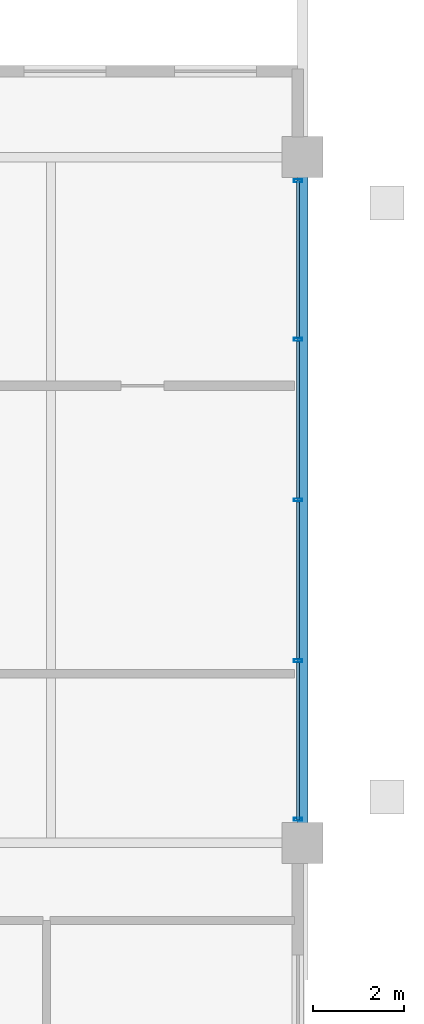
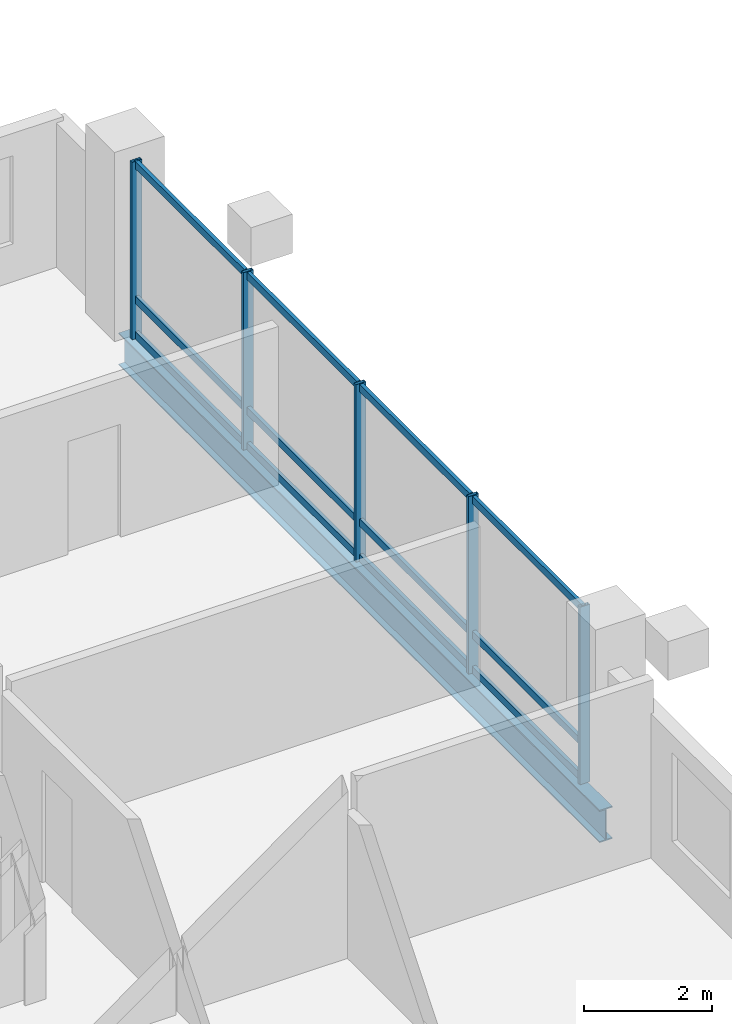
# One storey, part 10 of 16: 17 members, 1 beam, 1 element without a shape of its own.
"""IFC4 building model written with IfcOpenShell, lengths in metres."""

from ifc_helpers import new_model, si_unit, direction, frame, origin, origin_2d, place, context, subcontext, project, spatial, hollow_rectangle, i_section, extrude, material, layer, layer_set, material_profile, profile_set, type_object, element, aggregate, save


model = new_model("IFC4")

# Units and contexts
model_context = context("Model", 3, precision=1e-05, world=origin(), true_north=direction((0.0, 1.0)))
body_context = subcontext(model_context, "Body", "Model", "MODEL_VIEW")
ifc_project = project(units=[si_unit("LENGTHUNIT", "METRE"), si_unit("AREAUNIT", "SQUARE_METRE"), si_unit("VOLUMEUNIT", "CUBIC_METRE"), si_unit("PLANEANGLEUNIT", "RADIAN"), si_unit("MASSUNIT", "GRAM", prefix="KILO")], contexts=[model_context])

# Site, building, storey
site_placement = place(None, origin())
site = spatial("IfcSite", under=ifc_project, at=site_placement, CompositionType="ELEMENT")
building_placement = place(site_placement, origin())
building = spatial("IfcBuilding", under=site, at=building_placement, Name="Barlavira Tower and Art Museum", CompositionType="ELEMENT")
storey_placement = place(building_placement, frame((0.0, 0.0, 265.5)))
storey = spatial("IfcBuildingStorey", under=building, at=storey_placement, Name="L69", CompositionType="ELEMENT", Elevation=265.5)

# Curtain wall, members
ifc_material_1 = material(Name="Low-iron coastal laminated glass", Category="glass")
ifc_layer = layer(ifc_material_1, 0.2099609375, Name="Low-iron coastal laminated glass")
ifc_layer_set = layer_set([ifc_layer], Name="Low-iron coastal laminated glass")
curtain_wall_type = type_object("IfcCurtainWallType", Name="Pale-Metal Unitised Curtain Wall Zone 4", PredefinedType="NOTDEFINED", material=ifc_layer_set)
curtain_wall_placement = place(storey_placement, origin())
curtain_wall = element("IfcCurtainWall", 1, at=curtain_wall_placement, inside=storey, type_object=curtain_wall_type, Name="L69 Curtain Wall CW4-L69-E-B3", PredefinedType="NOTDEFINED")
ifc_material_2 = material(Name="Pale anodised aluminium", Category="aluminium")
ifc_material_profile_1 = material_profile(ifc_material_2, hollow_rectangle(XDim=0.06494140625, YDim=0.179931640625, WallThickness=0.00390625, at=origin_2d()), Name="ALU-MULL 65x180x4")
ifc_profile_set_1 = profile_set([ifc_material_profile_1], Name="Pale anodised aluminium")
member_type_1 = type_object("IfcMemberType", Name="Curtain Wall Pale-Metal Mullion 65x180", PredefinedType="MULLION", material=ifc_profile_set_1)
member_1_placement = place(storey_placement, frame((16.89990234375, -6.985107421875, 0.0), z_axis=(0.0, 0.0, 1.0), x_axis=(0.0, 1.0, 0.0)))
member_1 = element("IfcMember", 2, at=member_1_placement, type_object=member_type_1, Name="CW4-L69-E-B3 Mullion 0", PredefinedType="MULLION", context=body_context, shape_type="SweptSolid", body=[
    extrude(hollow_rectangle(XDim=0.06494140625, YDim=0.179931640625, WallThickness=0.00390625, at=origin_2d()), origin(), (0.0, 0.0, 1.0), 3.3798828125),
])
member_2_placement = place(storey_placement, frame((16.89990234375, -3.514892578125, 0.0), z_axis=(0.0, 0.0, 1.0), x_axis=(0.0, 1.0, 0.0)))
member_2 = element("IfcMember", 3, at=member_2_placement, type_object=member_type_1, Name="CW4-L69-E-B3 Mullion 1", PredefinedType="MULLION", context=body_context, shape_type="SweptSolid", body=[
    extrude(hollow_rectangle(XDim=0.06494140625, YDim=0.179931640625, WallThickness=0.00390625, at=origin_2d()), origin(), (0.0, 0.0, 1.0), 3.3798828125),
])
member_3_placement = place(storey_placement, frame((16.89990234375, 0.0, 0.0), z_axis=(0.0, 0.0, 1.0), x_axis=(0.0, 1.0, 0.0)))
member_3 = element("IfcMember", 4, at=member_3_placement, type_object=member_type_1, Name="CW4-L69-E-B3 Mullion 2", PredefinedType="MULLION", context=body_context, shape_type="SweptSolid", body=[
    extrude(hollow_rectangle(XDim=0.06494140625, YDim=0.179931640625, WallThickness=0.00390625, at=origin_2d()), origin(), (0.0, 0.0, 1.0), 3.3798828125),
])
member_4_placement = place(storey_placement, frame((16.89990234375, 3.514892578125, 0.0), z_axis=(0.0, 0.0, 1.0), x_axis=(0.0, 1.0, 0.0)))
member_4 = element("IfcMember", 5, at=member_4_placement, type_object=member_type_1, Name="CW4-L69-E-B3 Mullion 3", PredefinedType="MULLION", context=body_context, shape_type="SweptSolid", body=[
    extrude(hollow_rectangle(XDim=0.06494140625, YDim=0.179931640625, WallThickness=0.00390625, at=origin_2d()), origin(), (0.0, 0.0, 1.0), 3.3798828125),
])
member_5_placement = place(storey_placement, frame((16.89990234375, 6.985107421875, 0.0), z_axis=(0.0, 0.0, 1.0), x_axis=(0.0, 1.0, 0.0)))
member_5 = element("IfcMember", 6, at=member_5_placement, type_object=member_type_1, Name="CW4-L69-E-B3 Mullion 4", PredefinedType="MULLION", context=body_context, shape_type="SweptSolid", body=[
    extrude(hollow_rectangle(XDim=0.06494140625, YDim=0.179931640625, WallThickness=0.00390625, at=origin_2d()), origin(), (0.0, 0.0, 1.0), 3.3798828125),
])
ifc_material_profile_2 = material_profile(ifc_material_2, hollow_rectangle(XDim=0.06494140625, YDim=0.139892578125, WallThickness=0.00390625, at=origin_2d()), Name="ALU-TRAN 65x140x4")
ifc_profile_set_2 = profile_set([ifc_material_profile_2], Name="Pale anodised aluminium")
member_type_2 = type_object("IfcMemberType", Name="Curtain Wall Pale-Metal Transom 65x140", PredefinedType="USERDEFINED", material=ifc_profile_set_2)
member_6_placement = place(storey_placement, frame((16.89990234375, -6.985107421875, 0.070068359375), z_axis=(0.0, 1.0, 0.0), x_axis=(-1.0, 0.0, 0.0)))
member_6 = element("IfcMember", 7, at=member_6_placement, type_object=member_type_2, Name="CW4-L69-E-B3 Transom 0.1", ObjectType="TRANSOM", PredefinedType="USERDEFINED", context=body_context, shape_type="SweptSolid", body=[
    extrude(hollow_rectangle(XDim=0.06494140625, YDim=0.139892578125, WallThickness=0.00390625, at=origin_2d()), origin(), (0.0, 0.0, 1.0), 3.425048828125),
])
member_7_placement = place(storey_placement, frame((16.89990234375, -6.985107421875, 0.743896484375), z_axis=(0.0, 1.0, 0.0), x_axis=(-1.0, 0.0, 0.0)))
member_7 = element("IfcMember", 8, at=member_7_placement, type_object=member_type_2, Name="CW4-L69-E-B3 Transom 0.2", ObjectType="TRANSOM", PredefinedType="USERDEFINED", context=body_context, shape_type="SweptSolid", body=[
    extrude(hollow_rectangle(XDim=0.06494140625, YDim=0.139892578125, WallThickness=0.00390625, at=origin_2d()), origin(), (0.0, 0.0, 1.0), 3.425048828125),
])
member_8_placement = place(storey_placement, frame((16.89990234375, -6.985107421875, 3.31005859375), z_axis=(0.0, 1.0, 0.0), x_axis=(-1.0, 0.0, 0.0)))
member_8 = element("IfcMember", 9, at=member_8_placement, type_object=member_type_2, Name="CW4-L69-E-B3 Transom 0.3", ObjectType="TRANSOM", PredefinedType="USERDEFINED", context=body_context, shape_type="SweptSolid", body=[
    extrude(hollow_rectangle(XDim=0.06494140625, YDim=0.139892578125, WallThickness=0.00390625, at=origin_2d()), origin(), (0.0, 0.0, 1.0), 3.425048828125),
])
member_9_placement = place(storey_placement, frame((16.89990234375, -3.469970703125, 0.070068359375), z_axis=(0.0, 1.0, 0.0), x_axis=(-1.0, 0.0, 0.0)))
member_9 = element("IfcMember", 10, at=member_9_placement, type_object=member_type_2, Name="CW4-L69-E-B3 Transom 1.1", ObjectType="TRANSOM", PredefinedType="USERDEFINED", context=body_context, shape_type="SweptSolid", body=[
    extrude(hollow_rectangle(XDim=0.06494140625, YDim=0.139892578125, WallThickness=0.00390625, at=origin_2d()), origin(), (0.0, 0.0, 1.0), 3.425048828125),
])
member_10_placement = place(storey_placement, frame((16.89990234375, -3.469970703125, 0.743896484375), z_axis=(0.0, 1.0, 0.0), x_axis=(-1.0, 0.0, 0.0)))
member_10 = element("IfcMember", 11, at=member_10_placement, type_object=member_type_2, Name="CW4-L69-E-B3 Transom 1.2", ObjectType="TRANSOM", PredefinedType="USERDEFINED", context=body_context, shape_type="SweptSolid", body=[
    extrude(hollow_rectangle(XDim=0.06494140625, YDim=0.139892578125, WallThickness=0.00390625, at=origin_2d()), origin(), (0.0, 0.0, 1.0), 3.425048828125),
])
member_11_placement = place(storey_placement, frame((16.89990234375, -3.469970703125, 3.31005859375), z_axis=(0.0, 1.0, 0.0), x_axis=(-1.0, 0.0, 0.0)))
member_11 = element("IfcMember", 12, at=member_11_placement, type_object=member_type_2, Name="CW4-L69-E-B3 Transom 1.3", ObjectType="TRANSOM", PredefinedType="USERDEFINED", context=body_context, shape_type="SweptSolid", body=[
    extrude(hollow_rectangle(XDim=0.06494140625, YDim=0.139892578125, WallThickness=0.00390625, at=origin_2d()), origin(), (0.0, 0.0, 1.0), 3.425048828125),
])
member_12_placement = place(storey_placement, frame((16.89990234375, 0.044921875, 0.070068359375), z_axis=(0.0, 1.0, 0.0), x_axis=(-1.0, 0.0, 0.0)))
member_12 = element("IfcMember", 13, at=member_12_placement, type_object=member_type_2, Name="CW4-L69-E-B3 Transom 2.1", ObjectType="TRANSOM", PredefinedType="USERDEFINED", context=body_context, shape_type="SweptSolid", body=[
    extrude(hollow_rectangle(XDim=0.06494140625, YDim=0.139892578125, WallThickness=0.00390625, at=origin_2d()), origin(), (0.0, 0.0, 1.0), 3.425048828125),
])
member_13_placement = place(storey_placement, frame((16.89990234375, 0.044921875, 0.743896484375), z_axis=(0.0, 1.0, 0.0), x_axis=(-1.0, 0.0, 0.0)))
member_13 = element("IfcMember", 14, at=member_13_placement, type_object=member_type_2, Name="CW4-L69-E-B3 Transom 2.2", ObjectType="TRANSOM", PredefinedType="USERDEFINED", context=body_context, shape_type="SweptSolid", body=[
    extrude(hollow_rectangle(XDim=0.06494140625, YDim=0.139892578125, WallThickness=0.00390625, at=origin_2d()), origin(), (0.0, 0.0, 1.0), 3.425048828125),
])
member_14_placement = place(storey_placement, frame((16.89990234375, 0.044921875, 3.31005859375), z_axis=(0.0, 1.0, 0.0), x_axis=(-1.0, 0.0, 0.0)))
member_14 = element("IfcMember", 15, at=member_14_placement, type_object=member_type_2, Name="CW4-L69-E-B3 Transom 2.3", ObjectType="TRANSOM", PredefinedType="USERDEFINED", context=body_context, shape_type="SweptSolid", body=[
    extrude(hollow_rectangle(XDim=0.06494140625, YDim=0.139892578125, WallThickness=0.00390625, at=origin_2d()), origin(), (0.0, 0.0, 1.0), 3.425048828125),
])
member_15_placement = place(storey_placement, frame((16.89990234375, 3.56005859375, 0.070068359375), z_axis=(0.0, 1.0, 0.0), x_axis=(-1.0, 0.0, 0.0)))
member_15 = element("IfcMember", 16, at=member_15_placement, type_object=member_type_2, Name="CW4-L69-E-B3 Transom 3.1", ObjectType="TRANSOM", PredefinedType="USERDEFINED", context=body_context, shape_type="SweptSolid", body=[
    extrude(hollow_rectangle(XDim=0.06494140625, YDim=0.139892578125, WallThickness=0.00390625, at=origin_2d()), origin(), (0.0, 0.0, 1.0), 3.425048828125),
])
member_16_placement = place(storey_placement, frame((16.89990234375, 3.56005859375, 0.743896484375), z_axis=(0.0, 1.0, 0.0), x_axis=(-1.0, 0.0, 0.0)))
member_16 = element("IfcMember", 17, at=member_16_placement, type_object=member_type_2, Name="CW4-L69-E-B3 Transom 3.2", ObjectType="TRANSOM", PredefinedType="USERDEFINED", context=body_context, shape_type="SweptSolid", body=[
    extrude(hollow_rectangle(XDim=0.06494140625, YDim=0.139892578125, WallThickness=0.00390625, at=origin_2d()), origin(), (0.0, 0.0, 1.0), 3.425048828125),
])
member_17_placement = place(storey_placement, frame((16.89990234375, 3.56005859375, 3.31005859375), z_axis=(0.0, 1.0, 0.0), x_axis=(-1.0, 0.0, 0.0)))
member_17 = element("IfcMember", 18, at=member_17_placement, type_object=member_type_2, Name="CW4-L69-E-B3 Transom 3.3", ObjectType="TRANSOM", PredefinedType="USERDEFINED", context=body_context, shape_type="SweptSolid", body=[
    extrude(hollow_rectangle(XDim=0.06494140625, YDim=0.139892578125, WallThickness=0.00390625, at=origin_2d()), origin(), (0.0, 0.0, 1.0), 3.425048828125),
])
aggregate(curtain_wall, [member_1, member_2, member_3, member_4, member_5, member_6, member_7, member_8, member_9, member_10, member_11, member_12, member_13, member_14, member_15, member_16, member_17])

# Beam
ifc_material_3 = material(Name="Steel S355", Category="steel")
ifc_material_profile_3 = material_profile(ifc_material_3, i_section(OverallWidth=0.22998046875, OverallDepth=0.616943359375, WebThickness=0.01318359375, FlangeThickness=0.022216796875, at=origin_2d()), Name="W610x140.0")
ifc_profile_set_3 = profile_set([ifc_material_profile_3], Name="Steel S355")
beam_type = type_object("IfcBeamType", Name="Upper Shaft Spandrel Edge Beam W610x140 Steel S355", PredefinedType="SPANDREL", material=ifc_profile_set_3)
beam_placement = place(storey_placement, frame((17.0, -7.5, -0.528564453125), z_axis=(0.0, 1.0, 0.0), x_axis=(-1.0, 0.0, 0.0)))
element("IfcBeam", 19, at=beam_placement, inside=storey, type_object=beam_type, Name="L69 Spandrel 6", PredefinedType="SPANDREL", context=body_context, shape_type="SweptSolid", body=[
    extrude(i_section(OverallWidth=0.22998046875, OverallDepth=0.616943359375, WebThickness=0.01318359375, FlangeThickness=0.022216796875, at=origin_2d()), origin(), (0.0, 0.0, 1.0), 15.0),
])

save(model, "model.ifc")
